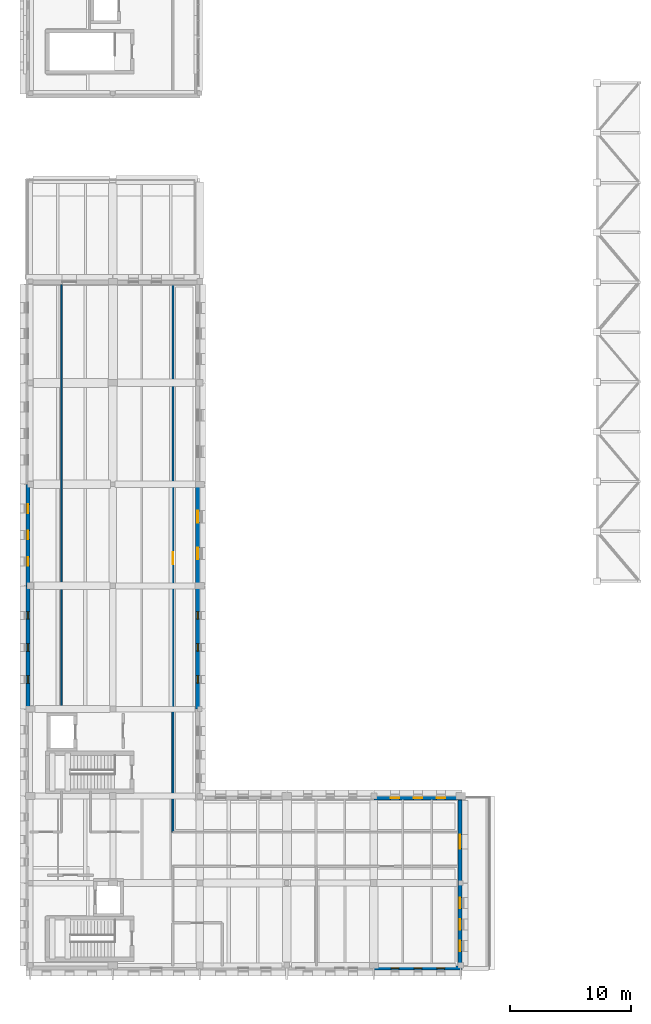
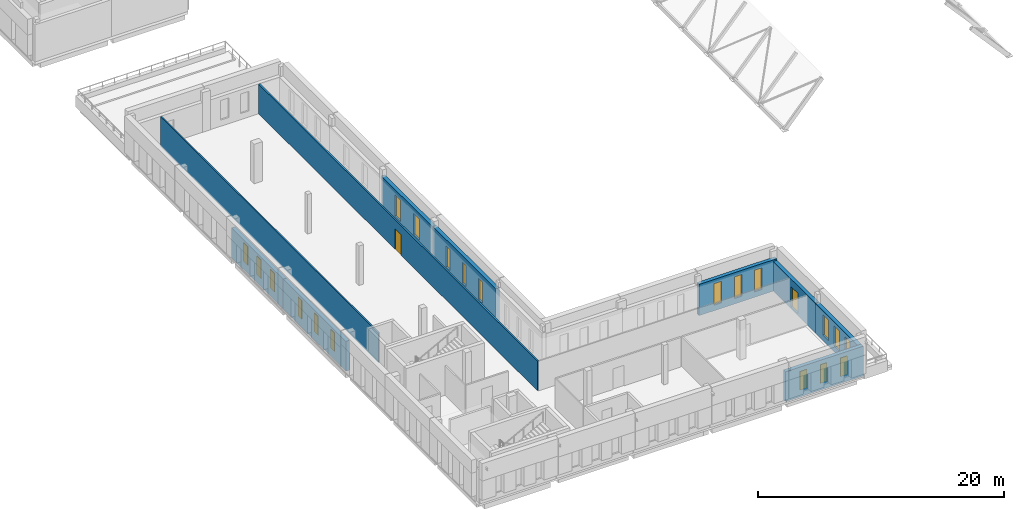
# One storey, part 21 of 34: 20 windows, 10 walls, 2 doors, 22 openings.
"""IFC4 building model written with IfcOpenShell, lengths in metres."""

from ifc_helpers import new_model, si_unit, direction, frame, frame_2d, origin, place, context, subcontext, project, spatial, rectangle, extrude, material, layer, layer_set, type_object, element, fill, save


model = new_model("IFC4")

# Units and contexts
model_context = context("Model", 3, precision=1e-05, world=origin(), true_north=direction((0.0, 1.0)))
body_context = subcontext(model_context, "Body", "Model", "MODEL_VIEW")
ifc_project = project(units=[si_unit("LENGTHUNIT", "METRE"), si_unit("AREAUNIT", "SQUARE_METRE"), si_unit("VOLUMEUNIT", "CUBIC_METRE"), si_unit("PLANEANGLEUNIT", "RADIAN"), si_unit("MASSUNIT", "GRAM", prefix="KILO")], contexts=[model_context])

# Site, building, storey
site_placement = place(None, origin())
site = spatial("IfcSite", under=ifc_project, at=site_placement, CompositionType="ELEMENT")
building_placement = place(site_placement, origin())
building = spatial("IfcBuilding", under=site, at=building_placement, Name="Vardoun Plaza Health Centre", CompositionType="ELEMENT")
storey_placement = place(building_placement, frame((0.0, 0.0, 12.89990234375)))
storey = spatial("IfcBuildingStorey", under=building, at=storey_placement, Name="L03", CompositionType="ELEMENT", Elevation=12.89990234375)

# Wall, openings, windows
ifc_material_1 = material(Name="Pale Limestone Concrete C35/45", Category="masonry")
ifc_layer_1 = layer(ifc_material_1, 0.344970703125)
ifc_layer_set_1 = layer_set([ifc_layer_1], Name="Pale Limestone Concrete C35/45")
wall_type_1 = type_object("IfcWallType", Name="EW-01", PredefinedType="SOLIDWALL", material=ifc_layer_set_1)
wall_1_placement = place(storey_placement, frame((18.7275390625, 44.699951171875, 0.0), z_axis=(0.0, 0.0, 1.0), x_axis=(0.0, -1.0, 0.0)))
wall_1 = element("IfcWall", 1, at=wall_1_placement, inside=storey, type_object=wall_type_1, Name="V2 L03 Exterior Wall EW-V2-158", PredefinedType="SOLIDWALL", context=body_context, shape_type="SweptSolid", body=[
    extrude(rectangle(XDim=8.39990234375, YDim=0.344970703125, at=frame_2d((4.199951171875, 0.0))), origin(), (0.0, 0.0, 1.0), 3.18505859375),
])
opening_1_placement = place(wall_1_placement, frame((2.2080078125, 0.0, 0.550048828125)))
opening_1 = element("IfcOpeningElement", 2, at=opening_1_placement, cuts=wall_1, Name="Opening W-20-003", PredefinedType="OPENING", context=body_context, shape_type="SweptSolid", body=[
    extrude(rectangle(XDim=0.9599609375, YDim=2.10009765625, at=frame_2d((0.47998046875, 1.050048828125))), frame((0.0, 0.17236328125, 0.0), z_axis=(0.0, -1.0, 0.0), x_axis=(1.0, 0.0, 0.0)), (0.0, 0.0, 1.0), 0.344970703125),
])
opening_2_placement = place(wall_1_placement, frame((5.23193359375, 0.0, 0.550048828125)))
opening_2 = element("IfcOpeningElement", 3, at=opening_2_placement, cuts=wall_1, Name="Opening W-20-004", PredefinedType="OPENING", context=body_context, shape_type="SweptSolid", body=[
    extrude(rectangle(XDim=0.9599609375, YDim=2.10009765625, at=frame_2d((0.47998046875, 1.050048828125))), frame((0.0, 0.17236328125, 0.0), z_axis=(0.0, -1.0, 0.0), x_axis=(1.0, 0.0, 0.0)), (0.0, 0.0, 1.0), 0.344970703125),
])
ifc_material_2 = material(Name="Aluminium Alloy EN AW-6063-T6 and Low-E Glass", Category="aluminium")
window_type_1 = type_object("IfcWindowType", Name="W-20", PartitioningType="DOUBLE_PANEL_VERTICAL", PredefinedType="WINDOW", material=ifc_material_2)
window_1_placement = place(opening_1_placement, origin())
window_1 = element("IfcWindow", 4, at=window_1_placement, inside=storey, type_object=window_type_1, Name="V2 L03 Deep-Punched Slot Window W-20-186", OverallHeight=2.10009765625, OverallWidth=0.9599609375, PartitioningType="DOUBLE_PANEL_VERTICAL", PredefinedType="WINDOW", context=body_context, shape_type="SweptSolid", body=[
    extrude(rectangle(XDim=0.9599609375, YDim=2.10009765625, at=frame_2d((0.47998046875, 1.050048828125))), frame((0.0, 0.030029296875, 0.0), z_axis=(0.0, -1.0, 0.0), x_axis=(1.0, 0.0, 0.0)), (0.0, 0.0, 1.0), 0.06005859375),
])
fill(opening_1, window_1)
window_2_placement = place(opening_2_placement, origin())
window_2 = element("IfcWindow", 5, at=window_2_placement, inside=storey, type_object=window_type_1, Name="V2 L03 Deep-Punched Slot Window W-20-187", OverallHeight=2.10009765625, OverallWidth=0.9599609375, PartitioningType="DOUBLE_PANEL_VERTICAL", PredefinedType="WINDOW", context=body_context, shape_type="SweptSolid", body=[
    extrude(rectangle(XDim=0.9599609375, YDim=2.10009765625, at=frame_2d((0.47998046875, 1.050048828125))), frame((0.0, 0.030029296875, 0.0), z_axis=(0.0, -1.0, 0.0), x_axis=(1.0, 0.0, 0.0)), (0.0, 0.0, 1.0), 0.06005859375),
])
fill(opening_2, window_2)

wall_2_placement = place(storey_placement, frame((18.7275390625, 36.300048828125, 0.0), z_axis=(0.0, 0.0, 1.0), x_axis=(0.0, -1.0, 0.0)))
wall_2 = element("IfcWall", 6, at=wall_2_placement, inside=storey, type_object=wall_type_1, Name="V2 L03 Exterior Wall EW-V2-159", PredefinedType="SOLIDWALL", context=body_context, shape_type="SweptSolid", body=[
    extrude(rectangle(XDim=10.199951171875, YDim=0.344970703125, at=frame_2d((5.10009765625, 0.0))), origin(), (0.0, 0.0, 1.0), 3.255126953125),
])
opening_3_placement = place(wall_2_placement, frame((2.137939453125, 0.0, 0.550048828125)))
opening_3 = element("IfcOpeningElement", 7, at=opening_3_placement, cuts=wall_2, Name="Opening W-21-005", PredefinedType="OPENING", context=body_context, shape_type="SweptSolid", body=[
    extrude(rectangle(XDim=0.6201171875, YDim=2.080078125, at=frame_2d((0.31005859375, 1.0400390625))), frame((0.0, 0.17236328125, 0.0), z_axis=(0.0, -1.0, 0.0), x_axis=(1.0, 0.0, 0.0)), (0.0, 0.0, 1.0), 0.344970703125),
])
opening_4_placement = place(wall_2_placement, frame((4.7900390625, 0.0, 0.550048828125)))
opening_4 = element("IfcOpeningElement", 8, at=opening_4_placement, cuts=wall_2, Name="Opening W-21-006", PredefinedType="OPENING", context=body_context, shape_type="SweptSolid", body=[
    extrude(rectangle(XDim=0.6201171875, YDim=2.080078125, at=frame_2d((0.31005859375, 1.0400390625))), frame((0.0, 0.17236328125, 0.0), z_axis=(0.0, -1.0, 0.0), x_axis=(1.0, 0.0, 0.0)), (0.0, 0.0, 1.0), 0.344970703125),
])
opening_5_placement = place(wall_2_placement, frame((7.44189453125, 0.0, 0.550048828125)))
opening_5 = element("IfcOpeningElement", 9, at=opening_5_placement, cuts=wall_2, Name="Opening W-21-007", PredefinedType="OPENING", context=body_context, shape_type="SweptSolid", body=[
    extrude(rectangle(XDim=0.6201171875, YDim=2.080078125, at=frame_2d((0.31005859375, 1.0400390625))), frame((0.0, 0.17236328125, 0.0), z_axis=(0.0, -1.0, 0.0), x_axis=(1.0, 0.0, 0.0)), (0.0, 0.0, 1.0), 0.344970703125),
])
ifc_material_3 = material(Name="Aluminium Alloy EN AW-6063-T6 and Low-E Glass", Category="aluminium")
window_type_2 = type_object("IfcWindowType", Name="W-21", PartitioningType="SINGLE_PANEL", PredefinedType="WINDOW", material=ifc_material_3)
window_3_placement = place(opening_3_placement, origin())
window_3 = element("IfcWindow", 10, at=window_3_placement, inside=storey, type_object=window_type_2, Name="V2 L03 Deep-Punched Slot Window W-21-188", OverallHeight=2.080078125, OverallWidth=0.6201171875, PartitioningType="SINGLE_PANEL", PredefinedType="WINDOW", context=body_context, shape_type="SweptSolid", body=[
    extrude(rectangle(XDim=0.6201171875, YDim=2.080078125, at=frame_2d((0.31005859375, 1.0400390625))), frame((0.0, 0.030029296875, 0.0), z_axis=(0.0, -1.0, 0.0), x_axis=(1.0, 0.0, 0.0)), (0.0, 0.0, 1.0), 0.06005859375),
])
fill(opening_3, window_3)
window_4_placement = place(opening_4_placement, origin())
window_4 = element("IfcWindow", 11, at=window_4_placement, inside=storey, type_object=window_type_2, Name="V2 L03 Deep-Punched Slot Window W-21-189", OverallHeight=2.080078125, OverallWidth=0.6201171875, PartitioningType="SINGLE_PANEL", PredefinedType="WINDOW", context=body_context, shape_type="SweptSolid", body=[
    extrude(rectangle(XDim=0.6201171875, YDim=2.080078125, at=frame_2d((0.31005859375, 1.0400390625))), frame((0.0, 0.030029296875, 0.0), z_axis=(0.0, -1.0, 0.0), x_axis=(1.0, 0.0, 0.0)), (0.0, 0.0, 1.0), 0.06005859375),
])
fill(opening_4, window_4)
window_5_placement = place(opening_5_placement, origin())
window_5 = element("IfcWindow", 12, at=window_5_placement, inside=storey, type_object=window_type_2, Name="V2 L03 Deep-Punched Slot Window W-21-190", OverallHeight=2.080078125, OverallWidth=0.6201171875, PartitioningType="SINGLE_PANEL", PredefinedType="WINDOW", context=body_context, shape_type="SweptSolid", body=[
    extrude(rectangle(XDim=0.6201171875, YDim=2.080078125, at=frame_2d((0.31005859375, 1.0400390625))), frame((0.0, 0.030029296875, 0.0), z_axis=(0.0, -1.0, 0.0), x_axis=(1.0, 0.0, 0.0)), (0.0, 0.0, 1.0), 0.06005859375),
])
fill(opening_5, window_5)

wall_3_placement = place(storey_placement, frame((33.300048828125, 18.7275390625, 0.0), z_axis=(0.0, 0.0, 1.0), x_axis=(1.0, 0.0, 0.0)))
wall_3 = element("IfcWall", 13, at=wall_3_placement, inside=storey, type_object=wall_type_1, Name="V2 L03 Exterior Wall EW-V2-163", PredefinedType="SOLIDWALL", context=body_context, shape_type="SweptSolid", body=[
    extrude(rectangle(XDim=7.300048828125, YDim=0.344970703125, at=frame_2d((3.64990234375, 0.0))), origin(), (0.0, 0.0, 1.0), 3.10498046875),
])
opening_6_placement = place(wall_3_placement, frame((1.39697265625, 0.0, 0.550048828125)))
opening_6 = element("IfcOpeningElement", 14, at=opening_6_placement, cuts=wall_3, Name="Opening W-32-006", PredefinedType="OPENING", context=body_context, shape_type="SweptSolid", body=[
    extrude(rectangle(XDim=0.7099609375, YDim=2.139892578125, at=frame_2d((0.35498046875, 1.06982421875))), frame((0.0, 0.17236328125, 0.0), z_axis=(0.0, -1.0, 0.0), x_axis=(1.0, 0.0, 0.0)), (0.0, 0.0, 1.0), 0.344970703125),
])
opening_7_placement = place(wall_3_placement, frame((3.294921875, 0.0, 0.550048828125)))
opening_7 = element("IfcOpeningElement", 15, at=opening_7_placement, cuts=wall_3, Name="Opening W-32-007", PredefinedType="OPENING", context=body_context, shape_type="SweptSolid", body=[
    extrude(rectangle(XDim=0.7099609375, YDim=2.139892578125, at=frame_2d((0.35498046875, 1.06982421875))), frame((0.0, 0.17236328125, 0.0), z_axis=(0.0, -1.0, 0.0), x_axis=(1.0, 0.0, 0.0)), (0.0, 0.0, 1.0), 0.344970703125),
])
opening_8_placement = place(wall_3_placement, frame((5.193115234375, 0.0, 0.550048828125)))
opening_8 = element("IfcOpeningElement", 16, at=opening_8_placement, cuts=wall_3, Name="Opening W-32-008", PredefinedType="OPENING", context=body_context, shape_type="SweptSolid", body=[
    extrude(rectangle(XDim=0.7099609375, YDim=2.139892578125, at=frame_2d((0.35498046875, 1.06982421875))), frame((0.0, 0.17236328125, 0.0), z_axis=(0.0, -1.0, 0.0), x_axis=(1.0, 0.0, 0.0)), (0.0, 0.0, 1.0), 0.344970703125),
])
ifc_material_4 = material(Name="Aluminium Alloy EN AW-6063-T6 and Low-E Glass", Category="aluminium")
window_type_3 = type_object("IfcWindowType", Name="W-32", PartitioningType="SINGLE_PANEL", PredefinedType="WINDOW", material=ifc_material_4)
window_6_placement = place(opening_6_placement, origin())
window_6 = element("IfcWindow", 17, at=window_6_placement, inside=storey, type_object=window_type_3, Name="V2 L03 Deep-Punched Slot Window W-32-200", OverallHeight=2.139892578125, OverallWidth=0.7099609375, PartitioningType="SINGLE_PANEL", PredefinedType="WINDOW", context=body_context, shape_type="SweptSolid", body=[
    extrude(rectangle(XDim=0.7099609375, YDim=2.139892578125, at=frame_2d((0.35498046875, 1.06982421875))), frame((0.0, 0.030029296875, 0.0), z_axis=(0.0, -1.0, 0.0), x_axis=(1.0, 0.0, 0.0)), (0.0, 0.0, 1.0), 0.06005859375),
])
fill(opening_6, window_6)
window_7_placement = place(opening_7_placement, origin())
window_7 = element("IfcWindow", 18, at=window_7_placement, inside=storey, type_object=window_type_3, Name="V2 L03 Deep-Punched Slot Window W-32-201", OverallHeight=2.139892578125, OverallWidth=0.7099609375, PartitioningType="SINGLE_PANEL", PredefinedType="WINDOW", context=body_context, shape_type="SweptSolid", body=[
    extrude(rectangle(XDim=0.7099609375, YDim=2.139892578125, at=frame_2d((0.35498046875, 1.06982421875))), frame((0.0, 0.030029296875, 0.0), z_axis=(0.0, -1.0, 0.0), x_axis=(1.0, 0.0, 0.0)), (0.0, 0.0, 1.0), 0.06005859375),
])
fill(opening_7, window_7)
window_8_placement = place(opening_8_placement, origin())
window_8 = element("IfcWindow", 19, at=window_8_placement, inside=storey, type_object=window_type_3, Name="V2 L03 Deep-Punched Slot Window W-32-202", OverallHeight=2.139892578125, OverallWidth=0.7099609375, PartitioningType="SINGLE_PANEL", PredefinedType="WINDOW", context=body_context, shape_type="SweptSolid", body=[
    extrude(rectangle(XDim=0.7099609375, YDim=2.139892578125, at=frame_2d((0.35498046875, 1.06982421875))), frame((0.0, 0.030029296875, 0.0), z_axis=(0.0, -1.0, 0.0), x_axis=(1.0, 0.0, 0.0)), (0.0, 0.0, 1.0), 0.06005859375),
])
fill(opening_8, window_8)

# Wall, opening, door
wall_4_placement = place(storey_placement, frame((40.427490234375, 18.554931640625, 0.0), z_axis=(0.0, 0.0, 1.0), x_axis=(0.0, -1.0, 0.0)))
wall_4 = element("IfcWall", 20, at=wall_4_placement, inside=storey, type_object=wall_type_1, Name="V2 L03 Exterior Wall EW-V2-164", PredefinedType="SOLIDWALL", context=body_context, shape_type="SweptSolid", body=[
    extrude(rectangle(XDim=6.85498046875, YDim=0.344970703125, at=frame_2d((3.427490234375, 0.0))), origin(), (0.0, 0.0, 1.0), 2.955078125),
])
opening_9_placement = place(wall_4_placement, frame((2.8525390625, 0.0, 0.18994140625)))
opening_9 = element("IfcOpeningElement", 21, at=opening_9_placement, cuts=wall_4, Name="Opening TD-V2-L03-2", PredefinedType="OPENING", context=body_context, shape_type="SweptSolid", body=[
    extrude(rectangle(XDim=1.14990234375, YDim=2.02001953125, at=frame_2d((0.574951171875, 1.010009765625))), frame((0.0, 0.17236328125, 0.0), z_axis=(0.0, -1.0, 0.0), x_axis=(1.0, 0.0, 0.0)), (0.0, 0.0, 1.0), 0.344970703125),
])
ifc_material_5 = material(Name="Aluminium Alloy EN AW-6063-T6 Terrace Door", Category="aluminium")
door_type_1 = type_object("IfcDoorType", Name="ED-04", OperationType="NOTDEFINED", PredefinedType="DOOR", material=ifc_material_5)
door_1_placement = place(opening_9_placement, origin())
door_1 = element("IfcDoor", 22, at=door_1_placement, inside=storey, type_object=door_type_1, Name="V2 L03 Roof-Garden Terrace Door 2", OperationType="SINGLE_SWING_LEFT", OverallHeight=2.02001953125, OverallWidth=1.14990234375, PredefinedType="DOOR", context=body_context, shape_type="SweptSolid", body=[
    extrude(rectangle(XDim=1.14990234375, YDim=2.02001953125, at=frame_2d((0.574951171875, 1.010009765625))), frame((0.0, 0.02490234375, 0.0), z_axis=(0.0, -1.0, 0.0), x_axis=(1.0, 0.0, 0.0)), (0.0, 0.0, 1.0), 0.050048828125),
])
fill(opening_9, door_1)

# Wall, openings, windows
wall_5_placement = place(storey_placement, frame((40.427490234375, 11.699951171875, 0.0), z_axis=(0.0, 0.0, 1.0), x_axis=(0.0, -1.0, 0.0)))
wall_5 = element("IfcWall", 23, at=wall_5_placement, inside=storey, type_object=wall_type_1, Name="V2 L03 Exterior Wall EW-V2-165", PredefinedType="SOLIDWALL", context=body_context, shape_type="SweptSolid", body=[
    extrude(rectangle(XDim=6.85498046875, YDim=0.344970703125, at=frame_2d((3.427490234375, 0.0))), origin(), (0.0, 0.0, 1.0), 2.955078125),
])
opening_10_placement = place(wall_5_placement, frame((1.2001953125, 0.0, 0.550048828125)))
opening_10 = element("IfcOpeningElement", 24, at=opening_10_placement, cuts=wall_5, Name="Opening W-35-003", PredefinedType="OPENING", context=body_context, shape_type="SweptSolid", body=[
    extrude(rectangle(XDim=0.889892578125, YDim=2.02001953125, at=frame_2d((0.44482421875, 1.010009765625))), frame((0.0, 0.17236328125, 0.0), z_axis=(0.0, -1.0, 0.0), x_axis=(1.0, 0.0, 0.0)), (0.0, 0.0, 1.0), 0.344970703125),
])
opening_11_placement = place(wall_5_placement, frame((2.982421875, 0.0, 0.550048828125)))
opening_11 = element("IfcOpeningElement", 25, at=opening_11_placement, cuts=wall_5, Name="Opening W-35-004", PredefinedType="OPENING", context=body_context, shape_type="SweptSolid", body=[
    extrude(rectangle(XDim=0.889892578125, YDim=2.02001953125, at=frame_2d((0.44482421875, 1.010009765625))), frame((0.0, 0.17236328125, 0.0), z_axis=(0.0, -1.0, 0.0), x_axis=(1.0, 0.0, 0.0)), (0.0, 0.0, 1.0), 0.344970703125),
])
opening_12_placement = place(wall_5_placement, frame((4.764892578125, 0.0, 0.550048828125)))
opening_12 = element("IfcOpeningElement", 26, at=opening_12_placement, cuts=wall_5, Name="Opening W-35-005", PredefinedType="OPENING", context=body_context, shape_type="SweptSolid", body=[
    extrude(rectangle(XDim=0.889892578125, YDim=2.02001953125, at=frame_2d((0.44482421875, 1.010009765625))), frame((0.0, 0.17236328125, 0.0), z_axis=(0.0, -1.0, 0.0), x_axis=(1.0, 0.0, 0.0)), (0.0, 0.0, 1.0), 0.344970703125),
])
ifc_material_6 = material(Name="Aluminium Alloy EN AW-6063-T6 and Low-E Glass", Category="aluminium")
window_type_4 = type_object("IfcWindowType", Name="W-35", PartitioningType="DOUBLE_PANEL_VERTICAL", PredefinedType="WINDOW", material=ifc_material_6)
window_9_placement = place(opening_10_placement, origin())
window_9 = element("IfcWindow", 27, at=window_9_placement, inside=storey, type_object=window_type_4, Name="V2 L03 Deep-Punched Slot Window W-35-203", OverallHeight=2.02001953125, OverallWidth=0.889892578125, PartitioningType="DOUBLE_PANEL_VERTICAL", PredefinedType="WINDOW", context=body_context, shape_type="SweptSolid", body=[
    extrude(rectangle(XDim=0.889892578125, YDim=2.02001953125, at=frame_2d((0.44482421875, 1.010009765625))), frame((0.0, 0.030029296875, 0.0), z_axis=(0.0, -1.0, 0.0), x_axis=(1.0, 0.0, 0.0)), (0.0, 0.0, 1.0), 0.06005859375),
])
fill(opening_10, window_9)
window_10_placement = place(opening_11_placement, origin())
window_10 = element("IfcWindow", 28, at=window_10_placement, inside=storey, type_object=window_type_4, Name="V2 L03 Deep-Punched Slot Window W-35-204", OverallHeight=2.02001953125, OverallWidth=0.889892578125, PartitioningType="DOUBLE_PANEL_VERTICAL", PredefinedType="WINDOW", context=body_context, shape_type="SweptSolid", body=[
    extrude(rectangle(XDim=0.889892578125, YDim=2.02001953125, at=frame_2d((0.44482421875, 1.010009765625))), frame((0.0, 0.030029296875, 0.0), z_axis=(0.0, -1.0, 0.0), x_axis=(1.0, 0.0, 0.0)), (0.0, 0.0, 1.0), 0.06005859375),
])
fill(opening_11, window_10)
window_11_placement = place(opening_12_placement, origin())
window_11 = element("IfcWindow", 29, at=window_11_placement, inside=storey, type_object=window_type_4, Name="V2 L03 Deep-Punched Slot Window W-35-205", OverallHeight=2.02001953125, OverallWidth=0.889892578125, PartitioningType="DOUBLE_PANEL_VERTICAL", PredefinedType="WINDOW", context=body_context, shape_type="SweptSolid", body=[
    extrude(rectangle(XDim=0.889892578125, YDim=2.02001953125, at=frame_2d((0.44482421875, 1.010009765625))), frame((0.0, 0.030029296875, 0.0), z_axis=(0.0, -1.0, 0.0), x_axis=(1.0, 0.0, 0.0)), (0.0, 0.0, 1.0), 0.06005859375),
])
fill(opening_12, window_11)

wall_6_placement = place(storey_placement, frame((40.60009765625, 4.672607421875, 0.0), z_axis=(0.0, 0.0, 1.0), x_axis=(-1.0, 0.0, 0.0)))
wall_6 = element("IfcWall", 30, at=wall_6_placement, inside=storey, type_object=wall_type_1, Name="V2 L03 Exterior Wall EW-V2-166", PredefinedType="SOLIDWALL", context=body_context, shape_type="SweptSolid", body=[
    extrude(rectangle(XDim=7.300048828125, YDim=0.344970703125, at=frame_2d((3.64990234375, 0.0))), origin(), (0.0, 0.0, 1.0), 2.955078125),
])
opening_13_placement = place(wall_6_placement, frame((1.431884765625, 0.0, 0.550048828125)))
opening_13 = element("IfcOpeningElement", 31, at=opening_13_placement, cuts=wall_6, Name="Opening W-25-001", PredefinedType="OPENING", context=body_context, shape_type="SweptSolid", body=[
    extrude(rectangle(XDim=0.639892578125, YDim=1.85009765625, at=frame_2d((0.31982421875, 0.925048828125))), frame((0.0, 0.17236328125, 0.0), z_axis=(0.0, -1.0, 0.0), x_axis=(1.0, 0.0, 0.0)), (0.0, 0.0, 1.0), 0.344970703125),
])
opening_14_placement = place(wall_6_placement, frame((3.330078125, 0.0, 0.550048828125)))
opening_14 = element("IfcOpeningElement", 32, at=opening_14_placement, cuts=wall_6, Name="Opening W-25-002", PredefinedType="OPENING", context=body_context, shape_type="SweptSolid", body=[
    extrude(rectangle(XDim=0.639892578125, YDim=1.85009765625, at=frame_2d((0.31982421875, 0.925048828125))), frame((0.0, 0.17236328125, 0.0), z_axis=(0.0, -1.0, 0.0), x_axis=(1.0, 0.0, 0.0)), (0.0, 0.0, 1.0), 0.344970703125),
])
opening_15_placement = place(wall_6_placement, frame((5.22802734375, 0.0, 0.550048828125)))
opening_15 = element("IfcOpeningElement", 33, at=opening_15_placement, cuts=wall_6, Name="Opening W-25-003", PredefinedType="OPENING", context=body_context, shape_type="SweptSolid", body=[
    extrude(rectangle(XDim=0.639892578125, YDim=1.85009765625, at=frame_2d((0.31982421875, 0.925048828125))), frame((0.0, 0.17236328125, 0.0), z_axis=(0.0, -1.0, 0.0), x_axis=(1.0, 0.0, 0.0)), (0.0, 0.0, 1.0), 0.344970703125),
])
ifc_material_7 = material(Name="Aluminium Alloy EN AW-6063-T6 and Low-E Glass", Category="aluminium")
window_type_5 = type_object("IfcWindowType", Name="W-25", PartitioningType="SINGLE_PANEL", PredefinedType="WINDOW", material=ifc_material_7)
window_12_placement = place(opening_13_placement, origin())
window_12 = element("IfcWindow", 34, at=window_12_placement, inside=storey, type_object=window_type_5, Name="V2 L03 Deep-Punched Slot Window W-25-206", OverallHeight=1.85009765625, OverallWidth=0.639892578125, PartitioningType="SINGLE_PANEL", PredefinedType="WINDOW", context=body_context, shape_type="SweptSolid", body=[
    extrude(rectangle(XDim=0.639892578125, YDim=1.85009765625, at=frame_2d((0.31982421875, 0.925048828125))), frame((0.0, 0.030029296875, 0.0), z_axis=(0.0, -1.0, 0.0), x_axis=(1.0, 0.0, 0.0)), (0.0, 0.0, 1.0), 0.06005859375),
])
fill(opening_13, window_12)
window_13_placement = place(opening_14_placement, origin())
window_13 = element("IfcWindow", 35, at=window_13_placement, inside=storey, type_object=window_type_5, Name="V2 L03 Deep-Punched Slot Window W-25-207", OverallHeight=1.85009765625, OverallWidth=0.639892578125, PartitioningType="SINGLE_PANEL", PredefinedType="WINDOW", context=body_context, shape_type="SweptSolid", body=[
    extrude(rectangle(XDim=0.639892578125, YDim=1.85009765625, at=frame_2d((0.31982421875, 0.925048828125))), frame((0.0, 0.030029296875, 0.0), z_axis=(0.0, -1.0, 0.0), x_axis=(1.0, 0.0, 0.0)), (0.0, 0.0, 1.0), 0.06005859375),
])
fill(opening_14, window_13)
window_14_placement = place(opening_15_placement, origin())
window_14 = element("IfcWindow", 36, at=window_14_placement, inside=storey, type_object=window_type_5, Name="V2 L03 Deep-Punched Slot Window W-25-208", OverallHeight=1.85009765625, OverallWidth=0.639892578125, PartitioningType="SINGLE_PANEL", PredefinedType="WINDOW", context=body_context, shape_type="SweptSolid", body=[
    extrude(rectangle(XDim=0.639892578125, YDim=1.85009765625, at=frame_2d((0.31982421875, 0.925048828125))), frame((0.0, 0.030029296875, 0.0), z_axis=(0.0, -1.0, 0.0), x_axis=(1.0, 0.0, 0.0)), (0.0, 0.0, 1.0), 0.06005859375),
])
fill(opening_15, window_14)

wall_7_placement = place(storey_placement, frame((4.672607421875, 26.10009765625, 0.0), z_axis=(0.0, 0.0, 1.0), x_axis=(0.0, 1.0, 0.0)))
wall_7 = element("IfcWall", 37, at=wall_7_placement, inside=storey, type_object=wall_type_1, Name="V2 L03 Exterior Wall EW-V2-174", PredefinedType="SOLIDWALL", context=body_context, shape_type="SweptSolid", body=[
    extrude(rectangle(XDim=10.199951171875, YDim=0.344970703125, at=frame_2d((5.10009765625, 0.0))), origin(), (0.0, 0.0, 1.0), 2.955078125),
])
opening_16_placement = place(wall_7_placement, frame((2.1279296875, 0.0, 0.60009765625)))
opening_16 = element("IfcOpeningElement", 38, at=opening_16_placement, cuts=wall_7, Name="Opening W-25-004", PredefinedType="OPENING", context=body_context, shape_type="SweptSolid", body=[
    extrude(rectangle(XDim=0.639892578125, YDim=1.85009765625, at=frame_2d((0.31982421875, 0.925048828125))), frame((0.0, 0.17236328125, 0.0), z_axis=(0.0, -1.0, 0.0), x_axis=(1.0, 0.0, 0.0)), (0.0, 0.0, 1.0), 0.344970703125),
])
opening_17_placement = place(wall_7_placement, frame((4.780029296875, 0.0, 0.60009765625)))
opening_17 = element("IfcOpeningElement", 39, at=opening_17_placement, cuts=wall_7, Name="Opening W-25-005", PredefinedType="OPENING", context=body_context, shape_type="SweptSolid", body=[
    extrude(rectangle(XDim=0.639892578125, YDim=1.85009765625, at=frame_2d((0.31982421875, 0.925048828125))), frame((0.0, 0.17236328125, 0.0), z_axis=(0.0, -1.0, 0.0), x_axis=(1.0, 0.0, 0.0)), (0.0, 0.0, 1.0), 0.344970703125),
])
opening_18_placement = place(wall_7_placement, frame((7.431884765625, 0.0, 0.60009765625)))
opening_18 = element("IfcOpeningElement", 40, at=opening_18_placement, cuts=wall_7, Name="Opening W-25-006", PredefinedType="OPENING", context=body_context, shape_type="SweptSolid", body=[
    extrude(rectangle(XDim=0.639892578125, YDim=1.85009765625, at=frame_2d((0.31982421875, 0.925048828125))), frame((0.0, 0.17236328125, 0.0), z_axis=(0.0, -1.0, 0.0), x_axis=(1.0, 0.0, 0.0)), (0.0, 0.0, 1.0), 0.344970703125),
])
window_15_placement = place(opening_16_placement, origin())
window_15 = element("IfcWindow", 41, at=window_15_placement, inside=storey, type_object=window_type_5, Name="V2 L03 Deep-Punched Slot Window W-25-230", OverallHeight=1.85009765625, OverallWidth=0.639892578125, PartitioningType="SINGLE_PANEL", PredefinedType="WINDOW", context=body_context, shape_type="SweptSolid", body=[
    extrude(rectangle(XDim=0.639892578125, YDim=1.85009765625, at=frame_2d((0.31982421875, 0.925048828125))), frame((0.0, 0.030029296875, 0.0), z_axis=(0.0, -1.0, 0.0), x_axis=(1.0, 0.0, 0.0)), (0.0, 0.0, 1.0), 0.06005859375),
])
fill(opening_16, window_15)
window_16_placement = place(opening_17_placement, origin())
window_16 = element("IfcWindow", 42, at=window_16_placement, inside=storey, type_object=window_type_5, Name="V2 L03 Deep-Punched Slot Window W-25-231", OverallHeight=1.85009765625, OverallWidth=0.639892578125, PartitioningType="SINGLE_PANEL", PredefinedType="WINDOW", context=body_context, shape_type="SweptSolid", body=[
    extrude(rectangle(XDim=0.639892578125, YDim=1.85009765625, at=frame_2d((0.31982421875, 0.925048828125))), frame((0.0, 0.030029296875, 0.0), z_axis=(0.0, -1.0, 0.0), x_axis=(1.0, 0.0, 0.0)), (0.0, 0.0, 1.0), 0.06005859375),
])
fill(opening_17, window_16)
window_17_placement = place(opening_18_placement, origin())
window_17 = element("IfcWindow", 43, at=window_17_placement, inside=storey, type_object=window_type_5, Name="V2 L03 Deep-Punched Slot Window W-25-232", OverallHeight=1.85009765625, OverallWidth=0.639892578125, PartitioningType="SINGLE_PANEL", PredefinedType="WINDOW", context=body_context, shape_type="SweptSolid", body=[
    extrude(rectangle(XDim=0.639892578125, YDim=1.85009765625, at=frame_2d((0.31982421875, 0.925048828125))), frame((0.0, 0.030029296875, 0.0), z_axis=(0.0, -1.0, 0.0), x_axis=(1.0, 0.0, 0.0)), (0.0, 0.0, 1.0), 0.06005859375),
])
fill(opening_18, window_17)

wall_8_placement = place(storey_placement, frame((4.672607421875, 36.300048828125, 0.0), z_axis=(0.0, 0.0, 1.0), x_axis=(0.0, 1.0, 0.0)))
wall_8 = element("IfcWall", 44, at=wall_8_placement, inside=storey, type_object=wall_type_1, Name="V2 L03 Exterior Wall EW-V2-175", PredefinedType="SOLIDWALL", context=body_context, shape_type="SweptSolid", body=[
    extrude(rectangle(XDim=8.39990234375, YDim=0.344970703125, at=frame_2d((4.199951171875, 0.0))), origin(), (0.0, 0.0, 1.0), 2.955078125),
])
opening_19_placement = place(wall_8_placement, frame((1.656005859375, 0.0, 0.60009765625)))
opening_19 = element("IfcOpeningElement", 45, at=opening_19_placement, cuts=wall_8, Name="Opening W-26-007", PredefinedType="OPENING", context=body_context, shape_type="SweptSolid", body=[
    extrude(rectangle(XDim=0.719970703125, YDim=1.85009765625, at=frame_2d((0.35986328125, 0.925048828125))), frame((0.0, 0.17236328125, 0.0), z_axis=(0.0, -1.0, 0.0), x_axis=(1.0, 0.0, 0.0)), (0.0, 0.0, 1.0), 0.344970703125),
])
opening_20_placement = place(wall_8_placement, frame((3.840087890625, 0.0, 0.60009765625)))
opening_20 = element("IfcOpeningElement", 46, at=opening_20_placement, cuts=wall_8, Name="Opening W-26-008", PredefinedType="OPENING", context=body_context, shape_type="SweptSolid", body=[
    extrude(rectangle(XDim=0.719970703125, YDim=1.85009765625, at=frame_2d((0.35986328125, 0.925048828125))), frame((0.0, 0.17236328125, 0.0), z_axis=(0.0, -1.0, 0.0), x_axis=(1.0, 0.0, 0.0)), (0.0, 0.0, 1.0), 0.344970703125),
])
opening_21_placement = place(wall_8_placement, frame((6.02392578125, 0.0, 0.60009765625)))
opening_21 = element("IfcOpeningElement", 47, at=opening_21_placement, cuts=wall_8, Name="Opening W-26-009", PredefinedType="OPENING", context=body_context, shape_type="SweptSolid", body=[
    extrude(rectangle(XDim=0.719970703125, YDim=1.85009765625, at=frame_2d((0.35986328125, 0.925048828125))), frame((0.0, 0.17236328125, 0.0), z_axis=(0.0, -1.0, 0.0), x_axis=(1.0, 0.0, 0.0)), (0.0, 0.0, 1.0), 0.344970703125),
])
ifc_material_8 = material(Name="Aluminium Alloy EN AW-6063-T6 and Low-E Glass", Category="aluminium")
window_type_6 = type_object("IfcWindowType", Name="W-26", PartitioningType="SINGLE_PANEL", PredefinedType="WINDOW", material=ifc_material_8)
window_18_placement = place(opening_19_placement, origin())
window_18 = element("IfcWindow", 48, at=window_18_placement, inside=storey, type_object=window_type_6, Name="V2 L03 Deep-Punched Slot Window W-26-233", OverallHeight=1.85009765625, OverallWidth=0.719970703125, PartitioningType="SINGLE_PANEL", PredefinedType="WINDOW", context=body_context, shape_type="SweptSolid", body=[
    extrude(rectangle(XDim=0.719970703125, YDim=1.85009765625, at=frame_2d((0.35986328125, 0.925048828125))), frame((0.0, 0.030029296875, 0.0), z_axis=(0.0, -1.0, 0.0), x_axis=(1.0, 0.0, 0.0)), (0.0, 0.0, 1.0), 0.06005859375),
])
fill(opening_19, window_18)
window_19_placement = place(opening_20_placement, origin())
window_19 = element("IfcWindow", 49, at=window_19_placement, inside=storey, type_object=window_type_6, Name="V2 L03 Deep-Punched Slot Window W-26-234", OverallHeight=1.85009765625, OverallWidth=0.719970703125, PartitioningType="SINGLE_PANEL", PredefinedType="WINDOW", context=body_context, shape_type="SweptSolid", body=[
    extrude(rectangle(XDim=0.719970703125, YDim=1.85009765625, at=frame_2d((0.35986328125, 0.925048828125))), frame((0.0, 0.030029296875, 0.0), z_axis=(0.0, -1.0, 0.0), x_axis=(1.0, 0.0, 0.0)), (0.0, 0.0, 1.0), 0.06005859375),
])
fill(opening_20, window_19)
window_20_placement = place(opening_21_placement, origin())
window_20 = element("IfcWindow", 50, at=window_20_placement, inside=storey, type_object=window_type_6, Name="V2 L03 Deep-Punched Slot Window W-26-235", OverallHeight=1.85009765625, OverallWidth=0.719970703125, PartitioningType="SINGLE_PANEL", PredefinedType="WINDOW", context=body_context, shape_type="SweptSolid", body=[
    extrude(rectangle(XDim=0.719970703125, YDim=1.85009765625, at=frame_2d((0.35986328125, 0.925048828125))), frame((0.0, 0.030029296875, 0.0), z_axis=(0.0, -1.0, 0.0), x_axis=(1.0, 0.0, 0.0)), (0.0, 0.0, 1.0), 0.06005859375),
])
fill(opening_21, window_20)

# Wall, opening, door
ifc_material_9 = material(Name="Acoustic Gypsum Twin-Stud", Category="steel")
ifc_layer_2 = layer(ifc_material_9, 0.14990234375)
ifc_layer_set_2 = layer_set([ifc_layer_2], Name="Acoustic Gypsum Twin-Stud")
wall_type_2 = type_object("IfcWallType", Name="IW-04", PredefinedType="PARTITIONING", material=ifc_layer_set_2)
wall_9_placement = place(storey_placement, frame((16.669921875, 15.919921875, 0.0), z_axis=(0.0, 0.0, 1.0), x_axis=(0.0, 1.0, 0.0)))
wall_9 = element("IfcWall", 51, at=wall_9_placement, inside=storey, type_object=wall_type_2, Name="Specialist Consulting Room 32 Partition Wall", PredefinedType="PARTITIONING", context=body_context, shape_type="SweptSolid", body=[
    extrude(rectangle(XDim=45.330078125, YDim=0.14990234375, at=frame_2d((22.6650390625, 0.0))), origin(), (0.0, 0.0, 1.0), 2.940185546875),
])
opening_22_placement = place(wall_9_placement, frame((22.1650390625, 0.0, 0.0)))
opening_22 = element("IfcOpeningElement", 52, at=opening_22_placement, cuts=wall_9, Name="Opening D-L03-053", PredefinedType="OPENING", context=body_context, shape_type="SweptSolid", body=[
    extrude(rectangle(XDim=1.0, YDim=2.050048828125, at=frame_2d((0.5, 1.02490234375))), frame((0.0, 0.074951171875, 0.0), z_axis=(0.0, -1.0, 0.0), x_axis=(1.0, 0.0, 0.0)), (0.0, 0.0, 1.0), 0.14990234375),
])
ifc_material_10 = material(Name="Antimicrobial Acoustic Timber and Steel S275JR", Category="steel")
door_type_2 = type_object("IfcDoorType", Name="CD-03", OperationType="NOTDEFINED", PredefinedType="DOOR", material=ifc_material_10)
door_2_placement = place(opening_22_placement, origin())
door_2 = element("IfcDoor", 53, at=door_2_placement, inside=storey, type_object=door_type_2, Name="Specialist Consulting Room 32 Door D-L03-053", OperationType="SINGLE_SWING_LEFT", OverallHeight=2.050048828125, OverallWidth=1.0, PredefinedType="DOOR", context=body_context, shape_type="SweptSolid", body=[
    extrude(rectangle(XDim=1.0, YDim=2.050048828125, at=frame_2d((0.5, 1.02490234375))), frame((0.0, 0.02490234375, 0.0), z_axis=(0.0, -1.0, 0.0), x_axis=(1.0, 0.0, 0.0)), (0.0, 0.0, 1.0), 0.050048828125),
])
fill(opening_22, door_2)

# Wall
ifc_material_11 = material(Name="Standard Clinical Sub-Partition", Category="steel")
ifc_layer_3 = layer(ifc_material_11, 0.125)
ifc_layer_set_3 = layer_set([ifc_layer_3], Name="Standard Clinical Sub-Partition")
wall_type_3 = type_object("IfcWallType", Name="IW-11", PredefinedType="PARTITIONING", material=ifc_layer_set_3)
wall_10_placement = place(storey_placement, frame((7.4599609375, 61.25, 0.0), z_axis=(0.0, 0.0, 1.0), x_axis=(0.0, -1.0, 0.0)))
element("IfcWall", 54, at=wall_10_placement, inside=storey, type_object=wall_type_3, Name="Orthopaedic Cast and Fracture Room Enclosure Partition", PredefinedType="PARTITIONING", context=body_context, shape_type="SweptSolid", body=[
    extrude(rectangle(XDim=35.39990234375, YDim=0.125, at=frame_2d((17.699951171875, 0.0))), origin(), (0.0, 0.0, 1.0), 2.940185546875),
])

save(model, "model.ifc")
